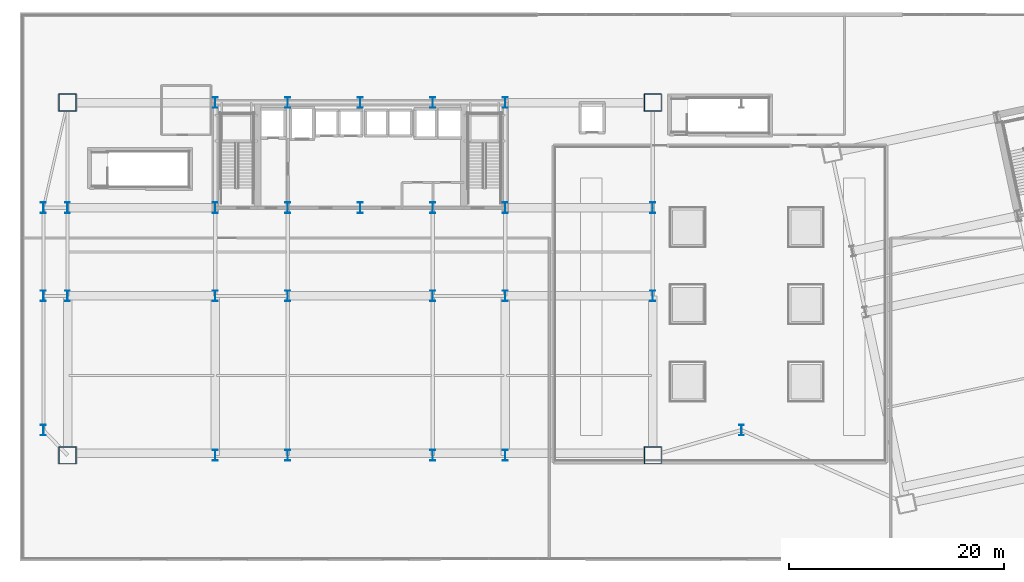
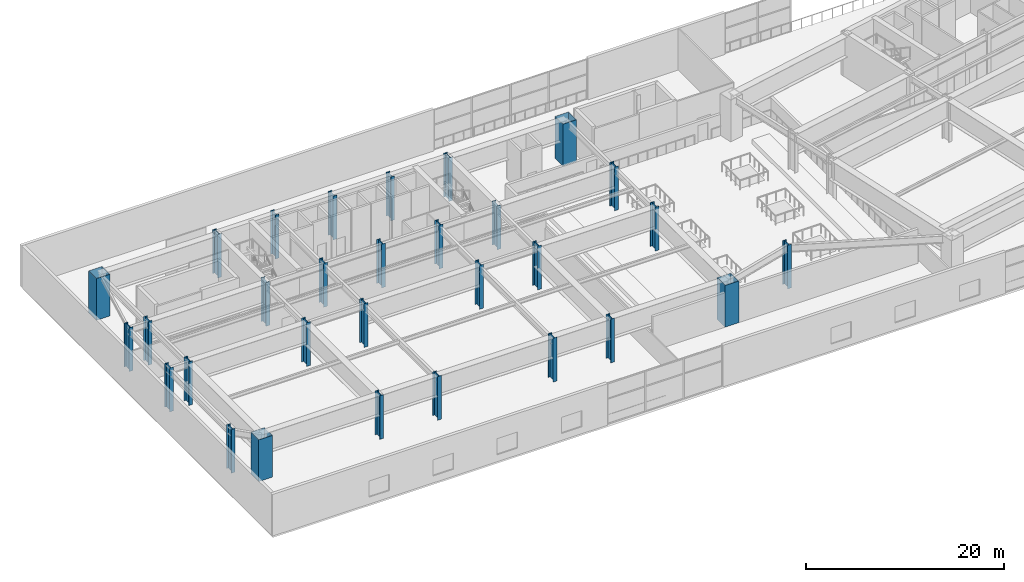
# One storey, part 1 of 29: 30 columns.
"""IFC4 building model written with IfcOpenShell, lengths in metres."""

from ifc_helpers import new_model, si_unit, direction, frame, origin, origin_2d, place, context, subcontext, project, spatial, hollow_rectangle, i_section, extrude, material, material_profile, profile_set, type_object, element, save


model = new_model("IFC4")

# Units and contexts
model_context = context("Model", 3, precision=1e-05, world=origin(), true_north=direction((0.0, 1.0)))
body_context = subcontext(model_context, "Body", "Model", "MODEL_VIEW")
ifc_project = project(units=[si_unit("LENGTHUNIT", "METRE"), si_unit("AREAUNIT", "SQUARE_METRE"), si_unit("VOLUMEUNIT", "CUBIC_METRE"), si_unit("PLANEANGLEUNIT", "RADIAN"), si_unit("MASSUNIT", "GRAM", prefix="KILO")], contexts=[model_context])

# Site, building, storey
site_placement = place(None, origin())
site = spatial("IfcSite", under=ifc_project, at=site_placement, CompositionType="ELEMENT")
building_placement = place(site_placement, origin())
building = spatial("IfcBuilding", under=site, at=building_placement, Name="Haevon Station Towers", CompositionType="ELEMENT")
storey_placement = place(building_placement, frame((0.0, 0.0, 25.199951171875)))
storey = spatial("IfcBuildingStorey", under=building, at=storey_placement, Name="L05", CompositionType="ELEMENT", Elevation=25.199951171875)

# Columns
ifc_material = material(Name="Steel S460", Category="steel")
ifc_material_profile_1 = material_profile(ifc_material, hollow_rectangle(XDim=1.60009765625, YDim=1.60009765625, WallThickness=0.0400390625, at=origin_2d()), Name="BOX-1600x1600x40")
ifc_profile_set_1 = profile_set([ifc_material_profile_1], Name="Steel S460")
column_type_1 = type_object("IfcColumnType", Name="COL-MC1", PredefinedType="COLUMN", material=ifc_profile_set_1)
for number, where, z_axis, x_axis, name in (
    (1, (10.25, 15.14990234375, 0.0), (0.0, 0.0, 1.0), (1.0, 0.0, 0.0), "COL-T1-L05-01-01"),
    (2, (10.25, 48.0, 0.0), (0.0, 0.0, 1.0), (1.0, 0.0, 0.0), "COL-T1-L05-01-04"),
    (3, (64.75, 15.14990234375, 0.0), (0.0, 0.0, 1.0), (1.0, 0.0, 0.0), "COL-T1-L05-07-01"),
    (4, (64.75, 48.0, 0.0), (0.0, 0.0, 1.0), (1.0, 0.0, 0.0), "COL-T1-L05-07-04"),
):
    element("IfcColumn", number, at=place(storey_placement, frame(where, z_axis=z_axis, x_axis=x_axis)), inside=storey, type_object=column_type_1, Name=name, PredefinedType="COLUMN", context=body_context, shape_type="SweptSolid", body=[
        extrude(hollow_rectangle(XDim=1.60009765625, YDim=1.60009765625, WallThickness=0.0400390625, at=origin_2d()), origin(), (0.0, 0.0, 1.0), 5.150146484375),
    ])
ifc_material_profile_2 = material_profile(ifc_material, i_section(OverallWidth=0.449951171875, OverallDepth=1.0, WebThickness=0.02197265625, FlangeThickness=0.0400390625, at=origin_2d()), Name="H-1000x450x22x40")
ifc_profile_set_2 = profile_set([ifc_material_profile_2], Name="Steel S460")
column_type_2 = type_object("IfcColumnType", Name="COL-POD1", PredefinedType="COLUMN", material=ifc_profile_set_2)
for number, where, z_axis, x_axis, name in (
    (5, (10.25, 30.0, 0.0), (0.0, 0.0, 1.0), (1.0, 0.0, 0.0), "COL-T1-L05-01-02"),
    (6, (10.25, 38.199951171875, 0.0), (0.0, 0.0, 1.0), (1.0, 0.0, 0.0), "COL-T1-L05-01-03"),
    (7, (24.0, 15.14990234375, 0.0), (0.0, 0.0, 1.0), (1.0, 0.0, 0.0), "COL-T1-L05-02-01"),
    (8, (24.0, 30.0, 0.0), (0.0, 0.0, 1.0), (1.0, 0.0, 0.0), "COL-T1-L05-02-02"),
    (9, (24.0, 38.199951171875, 0.0), (0.0, 0.0, 1.0), (1.0, 0.0, 0.0), "COL-T1-L05-02-03"),
    (10, (24.0, 48.0, 0.0), (0.0, 0.0, 1.0), (1.0, 0.0, 0.0), "COL-T1-L05-02-04"),
    (11, (30.75, 15.14990234375, 0.0), (0.0, 0.0, 1.0), (1.0, 0.0, 0.0), "COL-T1-L05-03-01"),
    (12, (30.75, 30.0, 0.0), (0.0, 0.0, 1.0), (1.0, 0.0, 0.0), "COL-T1-L05-03-02"),
    (13, (30.75, 38.199951171875, 0.0), (0.0, 0.0, 1.0), (1.0, 0.0, 0.0), "COL-T1-L05-03-03"),
    (14, (30.75, 48.0, 0.0), (0.0, 0.0, 1.0), (1.0, 0.0, 0.0), "COL-T1-L05-03-04"),
    (15, (37.5, 38.199951171875, 0.0), (0.0, 0.0, 1.0), (1.0, 0.0, 0.0), "COL-T1-L05-04-03"),
    (16, (37.5, 48.0, 0.0), (0.0, 0.0, 1.0), (1.0, 0.0, 0.0), "COL-T1-L05-04-04"),
    (17, (44.25, 15.14990234375, 0.0), (0.0, 0.0, 1.0), (1.0, 0.0, 0.0), "COL-T1-L05-05-01"),
    (18, (44.25, 30.0, 0.0), (0.0, 0.0, 1.0), (1.0, 0.0, 0.0), "COL-T1-L05-05-02"),
    (19, (44.25, 38.199951171875, 0.0), (0.0, 0.0, 1.0), (1.0, 0.0, 0.0), "COL-T1-L05-05-03"),
    (20, (44.25, 48.0, 0.0), (0.0, 0.0, 1.0), (1.0, 0.0, 0.0), "COL-T1-L05-05-04"),
    (21, (51.0, 15.14990234375, 0.0), (0.0, 0.0, 1.0), (1.0, 0.0, 0.0), "COL-T1-L05-06-01"),
    (22, (51.0, 30.0, 0.0), (0.0, 0.0, 1.0), (1.0, 0.0, 0.0), "COL-T1-L05-06-02"),
    (23, (51.0, 38.199951171875, 0.0), (0.0, 0.0, 1.0), (1.0, 0.0, 0.0), "COL-T1-L05-06-03"),
    (24, (51.0, 48.0, 0.0), (0.0, 0.0, 1.0), (1.0, 0.0, 0.0), "COL-T1-L05-06-04"),
    (25, (64.75, 30.0, 0.0), (0.0, 0.0, 1.0), (1.0, 0.0, 0.0), "COL-T1-L05-07-02"),
    (26, (64.75, 38.199951171875, 0.0), (0.0, 0.0, 1.0), (1.0, 0.0, 0.0), "COL-T1-L05-07-03"),
    (27, (8.0, 17.5, 0.0), (0.0, 0.0, 1.0), (1.0, 0.0, 0.0), "COL-POD-L05-W1"),
    (28, (8.0, 30.0, 0.0), (0.0, 0.0, 1.0), (1.0, 0.0, 0.0), "COL-POD-L05-W2"),
    (29, (8.0, 38.199951171875, 0.0), (0.0, 0.0, 1.0), (1.0, 0.0, 0.0), "COL-POD-L05-W3"),
    (30, (73.0, 17.5, 0.0), (0.0, 0.0, 1.0), (1.0, 0.0, 0.0), "COL-POD-L05-M1"),
):
    element("IfcColumn", number, at=place(storey_placement, frame(where, z_axis=z_axis, x_axis=x_axis)), inside=storey, type_object=column_type_2, Name=name, PredefinedType="COLUMN", context=body_context, shape_type="SweptSolid", body=[
        extrude(i_section(OverallWidth=0.449951171875, OverallDepth=1.0, WebThickness=0.02197265625, FlangeThickness=0.0400390625, at=origin_2d()), origin(), (0.0, 0.0, 1.0), 5.400146484375),
    ])

save(model, "model.ifc")
